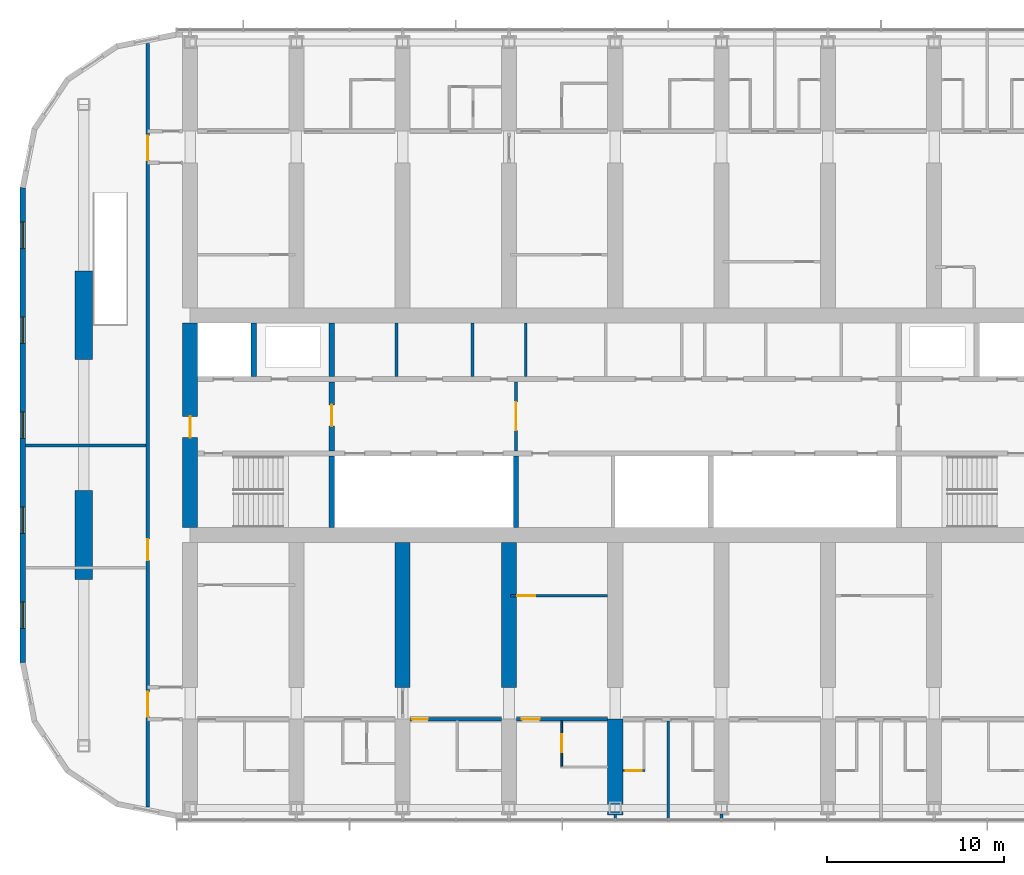
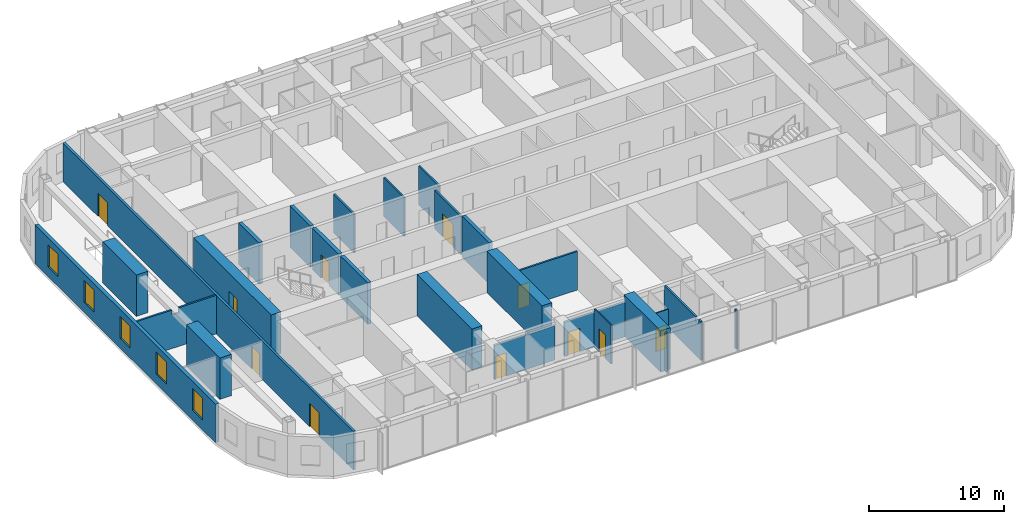
# One storey, part 11 of 22: 26 walls, 11 doors, 5 windows, 16 openings.
"""IFC4 building model written with IfcOpenShell, lengths in metres."""

from ifc_helpers import new_model, si_unit, direction, frame, frame_2d, origin, place, context, subcontext, project, spatial, polyline, rectangle, outline, extrude, material, layer, layer_set, type_object, element, fill, save


model = new_model("IFC4")

# Units and contexts
model_context = context("Model", 3, precision=1e-05, world=origin(), true_north=direction((0.0, 1.0)))
body_context = subcontext(model_context, "Body", "Model", "MODEL_VIEW")
ifc_project = project(units=[si_unit("LENGTHUNIT", "METRE"), si_unit("AREAUNIT", "SQUARE_METRE"), si_unit("VOLUMEUNIT", "CUBIC_METRE"), si_unit("PLANEANGLEUNIT", "RADIAN"), si_unit("MASSUNIT", "GRAM", prefix="KILO")], contexts=[model_context])

# Site, building, storey
site_placement = place(None, origin())
site = spatial("IfcSite", under=ifc_project, at=site_placement, CompositionType="ELEMENT")
building_placement = place(site_placement, origin())
building = spatial("IfcBuilding", under=site, at=building_placement, Name="Orbita Commons", CompositionType="ELEMENT")
storey_placement = place(building_placement, frame((0.0, 0.0, 167.35009765625)))
storey = spatial("IfcBuildingStorey", under=building, at=storey_placement, Name="L41", CompositionType="ELEMENT", Elevation=167.35009765625)

# Wall
ifc_material_1 = material(Name="Concrete C50/60", Category="concrete")
ifc_layer_1 = layer(ifc_material_1, 0.300048828125)
ifc_layer_set_1 = layer_set([ifc_layer_1], Name="Concrete C50/60")
wall_type_1 = type_object("IfcWallType", Name="Core inner wall 300 C50/60", PredefinedType="SHEAR", material=ifc_layer_set_1)
wall_1_placement = place(storey_placement, frame((26.0, 26.22509765625, 0.0), z_axis=(0.0, 0.0, 1.0), x_axis=(0.0, 1.0, 0.0)))
element("IfcWall", 1, at=wall_1_placement, inside=storey, type_object=wall_type_1, Name="Stair S1 wall L41", PredefinedType="SHEAR", context=body_context, shape_type="SweptSolid", body=[
    extrude(rectangle(XDim=4.02490234375, YDim=0.300048828125, at=frame_2d((2.012451171875, 0.0))), origin(), (0.0, 0.0, 1.0), 3.75),
])

# Wall, opening, door
wall_2_placement = place(storey_placement, frame((26.0, 30.550048828125, 0.0), z_axis=(0.0, 0.0, 1.0), x_axis=(0.0, 1.0, 0.0)))
wall_2 = element("IfcWall", 2, at=wall_2_placement, inside=storey, type_object=wall_type_1, Name="Firefighting lobby wall west L41", PredefinedType="SHEAR", context=body_context, shape_type="SweptSolid", body=[
    extrude(rectangle(XDim=3.89990234375, YDim=0.300048828125, at=frame_2d((1.949951171875, 0.0))), origin(), (0.0, 0.0, 1.0), 3.75),
])
opening_1_placement = place(wall_2_placement, frame((1.39990234375, 0.0, 0.0)))
opening_1 = element("IfcOpeningElement", 3, at=opening_1_placement, cuts=wall_2, Name="Opening D04", PredefinedType="OPENING", context=body_context, shape_type="SweptSolid", body=[
    extrude(rectangle(XDim=1.199951171875, YDim=2.10009765625, at=frame_2d((0.60009765625, 1.050048828125))), frame((0.0, 0.159912109375, 0.0), z_axis=(0.0, -1.0, 0.0), x_axis=(1.0, 0.0, 0.0)), (0.0, 0.0, 1.0), 0.320068359375),
])
ifc_material_2 = material(Name="Steel-faced fire door leaf", Category="steel")
door_type_1 = type_object("IfcDoorType", Name="Service door 20 min 1200x2100", OperationType="SINGLE_SWING_LEFT", PredefinedType="DOOR", material=ifc_material_2)
door_1_placement = place(opening_1_placement, origin())
door_1 = element("IfcDoor", 4, at=door_1_placement, inside=storey, type_object=door_type_1, Name="Lift lobby door west", OperationType="SINGLE_SWING_LEFT", OverallHeight=2.10009765625, OverallWidth=1.199951171875, PredefinedType="DOOR", context=body_context, shape_type="SweptSolid", body=[
    extrude(rectangle(XDim=1.199951171875, YDim=2.10009765625, at=frame_2d((0.60009765625, 1.050048828125))), frame((0.0, 0.02490234375, 0.0), z_axis=(0.0, -1.0, 0.0), x_axis=(1.0, 0.0, 0.0)), (0.0, 0.0, 1.0), 0.050048828125),
])
fill(opening_1, door_1)

# Walls
for number, where, z_axis, x_axis, name in (
    (5, (21.60009765625, 34.75, 0.0), (0.0, 0.0, 1.0), (0.0, 1.0, 0.0), "Firefighting lift FL1 shaft wall L41"),
    (6, (26.0, 34.75, 0.0), (0.0, 0.0, 1.0), (0.0, 1.0, 0.0), "Riser wall west L41"),
):
    element("IfcWall", number, at=place(storey_placement, frame(where, z_axis=z_axis, x_axis=x_axis)), inside=storey, type_object=wall_type_1, Name=name, PredefinedType="SHEAR", context=body_context, shape_type="SweptSolid", body=[
        extrude(rectangle(XDim=3.02490234375, YDim=0.300048828125, at=frame_2d((1.512451171875, 0.0))), origin(), (0.0, 0.0, 1.0), 3.75),
    ])
wall_3_placement = place(storey_placement, frame((36.39990234375, 26.22509765625, 0.0), z_axis=(0.0, 0.0, 1.0), x_axis=(0.0, 1.0, 0.0)))
element("IfcWall", 7, at=wall_3_placement, inside=storey, type_object=wall_type_1, Name="Hoistway division wall L41", PredefinedType="SHEAR", context=body_context, shape_type="SweptSolid", body=[
    extrude(rectangle(XDim=4.02490234375, YDim=0.300048828125, at=frame_2d((2.012451171875, 0.0))), origin(), (0.0, 0.0, 1.0), 3.75),
])

# Wall, opening, door
ifc_material_3 = material(Name="Concrete blockwork", Category="masonry")
ifc_layer_2 = layer(ifc_material_3, 0.14990234375)
ifc_layer_set_2 = layer_set([ifc_layer_2], Name="Concrete blockwork")
wall_type_2 = type_object("IfcWallType", Name="Core partition 150 blockwork", PredefinedType="SOLIDWALL", material=ifc_layer_set_2)
wall_4_placement = place(storey_placement, frame((36.39990234375, 30.550048828125, 0.0), z_axis=(0.0, 0.0, 1.0), x_axis=(0.0, 1.0, 0.0)))
wall_4 = element("IfcWall", 8, at=wall_4_placement, inside=storey, type_object=wall_type_2, Name="Core partition 150 blockwork L41", PredefinedType="SOLIDWALL", context=body_context, shape_type="SweptSolid", body=[
    extrude(rectangle(XDim=3.89990234375, YDim=0.14990234375, at=frame_2d((1.949951171875, 0.0))), origin(), (0.0, 0.0, 1.0), 3.5),
])
opening_2_placement = place(wall_4_placement, frame((1.14990234375, 0.0, 0.0)))
opening_2 = element("IfcOpeningElement", 9, at=opening_2_placement, cuts=wall_4, Name="Opening D10", PredefinedType="OPENING", context=body_context, shape_type="SweptSolid", body=[
    extrude(rectangle(XDim=1.60009765625, YDim=2.10009765625, at=frame_2d((0.800048828125, 1.050048828125))), frame((0.0, 0.0849609375, 0.0), z_axis=(0.0, -1.0, 0.0), x_axis=(1.0, 0.0, 0.0)), (0.0, 0.0, 1.0), 0.169921875),
])
ifc_material_4 = material(Name="Steel-faced fire door leaf", Category="steel")
door_type_2 = type_object("IfcDoorType", Name="Double corridor door 20 min 1600x2100", OperationType="DOUBLE_DOOR_SINGLE_SWING", PredefinedType="DOOR", material=ifc_material_4)
door_2_placement = place(opening_2_placement, origin())
door_2 = element("IfcDoor", 10, at=door_2_placement, inside=storey, type_object=door_type_2, Name="Lift lobby screen doors", OperationType="DOUBLE_DOOR_SINGLE_SWING", OverallHeight=2.10009765625, OverallWidth=1.60009765625, PredefinedType="DOOR", context=body_context, shape_type="SweptSolid", body=[
    extrude(rectangle(XDim=1.60009765625, YDim=2.10009765625, at=frame_2d((0.800048828125, 1.050048828125))), frame((0.0, 0.02490234375, 0.0), z_axis=(0.0, -1.0, 0.0), x_axis=(1.0, 0.0, 0.0)), (0.0, 0.0, 1.0), 0.050048828125),
])
fill(opening_2, door_2)

# Walls
for number, where, z_axis, x_axis, name in (
    (11, (29.65087890625, 34.75, 0.0), (0.0, 0.0, 1.0), (0.0, 1.0, 0.0), "Core partition 150 blockwork L41"),
    (12, (33.9462890625, 34.75, 0.0), (0.0, 0.0, 1.0), (0.0, 1.0, 0.0), "Core partition 150 blockwork L41"),
    (13, (36.9462890625, 34.75, 0.0), (0.0, 0.0, 1.0), (0.0, 1.0, 0.0), "Core partition 150 blockwork L41"),
):
    element("IfcWall", number, at=place(storey_placement, frame(where, z_axis=z_axis, x_axis=x_axis)), inside=storey, type_object=wall_type_2, Name=name, PredefinedType="SOLIDWALL", context=body_context, shape_type="SweptSolid", body=[
        extrude(rectangle(XDim=3.02490234375, YDim=0.14990234375, at=frame_2d((1.512451171875, 0.0))), origin(), (0.0, 0.0, 1.0), 3.5),
    ])

# Wall, opening, door
ifc_material_5 = material(Name="Concrete C50/60", Category="concrete")
ifc_layer_3 = layer(ifc_material_5, 0.85009765625)
ifc_layer_set_3 = layer_set([ifc_layer_3], Name="Concrete C50/60")
wall_type_3 = type_object("IfcWallType", Name="Core wall 850 C50/60", PredefinedType="SHEAR", material=ifc_layer_set_3)
wall_5_placement = place(storey_placement, frame((18.0, 26.22509765625, 0.0), z_axis=(0.0, 0.0, 1.0), x_axis=(0.0, 1.0, 0.0)))
wall_5 = element("IfcWall", 14, at=wall_5_placement, inside=storey, type_object=wall_type_3, Name="Core end wall west L41", PredefinedType="SHEAR", context=body_context, shape_type="SweptSolid", body=[
    extrude(rectangle(XDim=11.5498046875, YDim=0.85009765625, at=frame_2d((5.77490234375, 0.0))), origin(), (0.0, 0.0, 1.0), 3.75),
])
opening_3_placement = place(wall_5_placement, frame((5.074951171875, 0.0, 0.0)))
opening_3 = element("IfcOpeningElement", 15, at=opening_3_placement, cuts=wall_5, Name="Opening D01", PredefinedType="OPENING", context=body_context, shape_type="SweptSolid", body=[
    extrude(rectangle(XDim=1.199951171875, YDim=2.10009765625, at=frame_2d((0.60009765625, 1.050048828125))), frame((0.0, 0.43505859375, 0.0), z_axis=(0.0, -1.0, 0.0), x_axis=(1.0, 0.0, 0.0)), (0.0, 0.0, 1.0), 0.8701171875),
])
ifc_material_6 = material(Name="Steel-faced fire door leaf", Category="steel")
door_type_3 = type_object("IfcDoorType", Name="Fire door 90 min 1200x2100", OperationType="SINGLE_SWING_LEFT", PredefinedType="DOOR", material=ifc_material_6)
door_3_placement = place(opening_3_placement, origin())
door_3 = element("IfcDoor", 16, at=door_3_placement, inside=storey, type_object=door_type_3, Name="Firefighting lobby west door", OperationType="SINGLE_SWING_LEFT", OverallHeight=2.10009765625, OverallWidth=1.199951171875, PredefinedType="DOOR", context=body_context, shape_type="SweptSolid", body=[
    extrude(rectangle(XDim=1.199951171875, YDim=2.10009765625, at=frame_2d((0.60009765625, 1.050048828125))), frame((0.0, 0.02490234375, 0.0), z_axis=(0.0, -1.0, 0.0), x_axis=(1.0, 0.0, 0.0)), (0.0, 0.0, 1.0), 0.050048828125),
])
fill(opening_3, door_3)

ifc_material_7 = material(Name="Concrete blockwork", Category="masonry")
ifc_layer_4 = layer(ifc_material_7, 0.199951171875)
ifc_layer_set_4 = layer_set([ifc_layer_4], Name="Concrete blockwork")
wall_type_4 = type_object("IfcWallType", Name="Corridor wall 200 blockwork", PredefinedType="SOLIDWALL", material=ifc_layer_set_4)
wall_6_placement = place(storey_placement, frame((30.425048828125, 15.39990234375, 0.0), z_axis=(0.0, 0.0, 1.0), x_axis=(1.0, 0.0, 0.0)))
wall_6 = element("IfcWall", 17, at=wall_6_placement, inside=storey, type_object=wall_type_4, Name="Corridor wall 200 blockwork L41", PredefinedType="SOLIDWALL", context=body_context, shape_type="SweptSolid", body=[
    extrude(outline(polyline([(0.0, 0.0), (5.14990234375, 0.0), (5.14990234375, 3.099853515625), (0.0, 3.099853515625), (0.0, 0.0)])), frame((0.0, 0.10009765625, 0.0), z_axis=(0.0, -1.0, 0.0), x_axis=(1.0, 0.0, 0.0)), (0.0, 0.0, 1.0), 0.199951171875),
])
opening_4_placement = place(wall_6_placement, frame((0.10009765625, 0.0, 0.0)))
opening_4 = element("IfcOpeningElement", 18, at=opening_4_placement, cuts=wall_6, Name="Opening D11", PredefinedType="OPENING", context=body_context, shape_type="SweptSolid", body=[
    extrude(rectangle(XDim=0.89990234375, YDim=2.10009765625, at=frame_2d((0.449951171875, 1.050048828125))), frame((0.0, 0.10986328125, 0.0), z_axis=(0.0, -1.0, 0.0), x_axis=(1.0, 0.0, 0.0)), (0.0, 0.0, 1.0), 0.219970703125),
])
ifc_material_8 = material(Name="Steel-faced fire door leaf", Category="steel")
door_type_4 = type_object("IfcDoorType", Name="Corridor door 20 min 900x2100", OperationType="SINGLE_SWING_LEFT", PredefinedType="DOOR", material=ifc_material_8)
door_4_placement = place(opening_4_placement, origin())
door_4 = element("IfcDoor", 19, at=door_4_placement, inside=storey, type_object=door_type_4, Name="Twin room L41-S04 door", OperationType="SINGLE_SWING_LEFT", OverallHeight=2.10009765625, OverallWidth=0.89990234375, PredefinedType="DOOR", context=body_context, shape_type="SweptSolid", body=[
    extrude(rectangle(XDim=0.89990234375, YDim=2.10009765625, at=frame_2d((0.449951171875, 1.050048828125))), frame((0.0, 0.02490234375, 0.0), z_axis=(0.0, -1.0, 0.0), x_axis=(1.0, 0.0, 0.0)), (0.0, 0.0, 1.0), 0.050048828125),
])
fill(opening_4, door_4)

wall_7_placement = place(storey_placement, frame((36.425048828125, 15.39990234375, 0.0), z_axis=(0.0, 0.0, 1.0), x_axis=(1.0, 0.0, 0.0)))
wall_7 = element("IfcWall", 20, at=wall_7_placement, inside=storey, type_object=wall_type_4, Name="Corridor wall 200 blockwork L41", PredefinedType="SOLIDWALL", context=body_context, shape_type="SweptSolid", body=[
    extrude(outline(polyline([(0.0, 0.0), (5.14990234375, 0.0), (5.14990234375, 3.099853515625), (0.0, 3.099853515625), (0.0, 0.0)])), frame((0.0, 0.10009765625, 0.0), z_axis=(0.0, -1.0, 0.0), x_axis=(1.0, 0.0, 0.0)), (0.0, 0.0, 1.0), 0.199951171875),
])
opening_5_placement = place(wall_7_placement, frame((0.300048828125, 0.0, 0.0)))
opening_5 = element("IfcOpeningElement", 21, at=opening_5_placement, cuts=wall_7, Name="Opening D06", PredefinedType="OPENING", context=body_context, shape_type="SweptSolid", body=[
    extrude(rectangle(XDim=1.0, YDim=2.10009765625, at=frame_2d((0.5, 1.050048828125))), frame((0.0, 0.10986328125, 0.0), z_axis=(0.0, -1.0, 0.0), x_axis=(1.0, 0.0, 0.0)), (0.0, 0.0, 1.0), 0.219970703125),
])
ifc_material_9 = material(Name="Steel-faced fire door leaf", Category="steel")
door_type_5 = type_object("IfcDoorType", Name="Corridor door 20 min 1000x2100", OperationType="SINGLE_SWING_LEFT", PredefinedType="DOOR", material=ifc_material_9)
door_5_placement = place(opening_5_placement, origin())
door_5 = element("IfcDoor", 22, at=door_5_placement, inside=storey, type_object=door_type_5, Name="Accessible bedroom L41-S06 door", OperationType="SINGLE_SWING_LEFT", OverallHeight=2.10009765625, OverallWidth=1.0, PredefinedType="DOOR", context=body_context, shape_type="SweptSolid", body=[
    extrude(rectangle(XDim=1.0, YDim=2.10009765625, at=frame_2d((0.5, 1.050048828125))), frame((0.0, 0.02490234375, 0.0), z_axis=(0.0, -1.0, 0.0), x_axis=(1.0, 0.0, 0.0)), (0.0, 0.0, 1.0), 0.050048828125),
])
fill(opening_5, door_5)

# Wall, openings, doors
wall_8_placement = place(storey_placement, frame((15.60009765625, 10.4462890625, 0.0), z_axis=(0.0, 0.0, 1.0), x_axis=(0.0, 1.0, 0.0)))
wall_8 = element("IfcWall", 23, at=wall_8_placement, inside=storey, type_object=wall_type_4, Name="Corridor wall 200 blockwork L41", PredefinedType="SOLIDWALL", context=body_context, shape_type="SweptSolid", body=[
    extrude(rectangle(XDim=43.107421875, YDim=0.199951171875, at=frame_2d((21.5537109375, 0.0))), origin(), (0.0, 0.0, 1.0), 3.5),
])
opening_6_placement = place(wall_8_placement, frame((13.913818359375, 0.0, 0.0)))
opening_6 = element("IfcOpeningElement", 24, at=opening_6_placement, cuts=wall_8, Name="Opening D15", PredefinedType="OPENING", context=body_context, shape_type="SweptSolid", body=[
    extrude(rectangle(XDim=1.199951171875, YDim=2.10009765625, at=frame_2d((0.60009765625, 1.050048828125))), frame((0.0, 0.10986328125, 0.0), z_axis=(0.0, -1.0, 0.0), x_axis=(1.0, 0.0, 0.0)), (0.0, 0.0, 1.0), 0.219970703125),
])
opening_7_placement = place(wall_8_placement, frame((5.103759765625, 0.0, 0.0)))
opening_7 = element("IfcOpeningElement", 25, at=opening_7_placement, cuts=wall_8, Name="Opening D08", PredefinedType="OPENING", context=body_context, shape_type="SweptSolid", body=[
    extrude(rectangle(XDim=1.39990234375, YDim=2.10009765625, at=frame_2d((0.699951171875, 1.050048828125))), frame((0.0, 0.10986328125, 0.0), z_axis=(0.0, -1.0, 0.0), x_axis=(1.0, 0.0, 0.0)), (0.0, 0.0, 1.0), 0.219970703125),
])
opening_8_placement = place(wall_8_placement, frame((36.50390625, 0.0, 0.0)))
opening_8 = element("IfcOpeningElement", 26, at=opening_8_placement, cuts=wall_8, Name="Opening D08", PredefinedType="OPENING", context=body_context, shape_type="SweptSolid", body=[
    extrude(rectangle(XDim=1.39990234375, YDim=2.10009765625, at=frame_2d((0.699951171875, 1.050048828125))), frame((0.0, 0.10986328125, 0.0), z_axis=(0.0, -1.0, 0.0), x_axis=(1.0, 0.0, 0.0)), (0.0, 0.0, 1.0), 0.219970703125),
])
ifc_material_10 = material(Name="Steel-faced fire door leaf", Category="steel")
door_type_6 = type_object("IfcDoorType", Name="Corridor door 20 min 1200x2100", OperationType="SINGLE_SWING_LEFT", PredefinedType="DOOR", material=ifc_material_10)
door_6_placement = place(opening_6_placement, origin())
door_6 = element("IfcDoor", 27, at=door_6_placement, inside=storey, type_object=door_type_6, Name="Study hall door", OperationType="SINGLE_SWING_LEFT", OverallHeight=2.10009765625, OverallWidth=1.199951171875, PredefinedType="DOOR", context=body_context, shape_type="SweptSolid", body=[
    extrude(rectangle(XDim=1.199951171875, YDim=2.10009765625, at=frame_2d((0.60009765625, 1.050048828125))), frame((0.0, 0.02490234375, 0.0), z_axis=(0.0, -1.0, 0.0), x_axis=(1.0, 0.0, 0.0)), (0.0, 0.0, 1.0), 0.050048828125),
])
fill(opening_6, door_6)
ifc_material_11 = material(Name="Steel-faced fire door leaf", Category="steel")
door_type_7 = type_object("IfcDoorType", Name="Double corridor door 20 min 1400x2100", OperationType="DOUBLE_DOOR_SINGLE_SWING", PredefinedType="DOOR", material=ifc_material_11)
door_7_placement = place(opening_7_placement, origin())
door_7 = element("IfcDoor", 28, at=door_7_placement, inside=storey, type_object=door_type_7, Name="Lounge doors", OperationType="DOUBLE_DOOR_SINGLE_SWING", OverallHeight=2.10009765625, OverallWidth=1.39990234375, PredefinedType="DOOR", context=body_context, shape_type="SweptSolid", body=[
    extrude(rectangle(XDim=1.39990234375, YDim=2.10009765625, at=frame_2d((0.699951171875, 1.050048828125))), frame((0.0, 0.02490234375, 0.0), z_axis=(0.0, -1.0, 0.0), x_axis=(1.0, 0.0, 0.0)), (0.0, 0.0, 1.0), 0.050048828125),
])
fill(opening_7, door_7)
door_8_placement = place(opening_8_placement, origin())
door_8 = element("IfcDoor", 29, at=door_8_placement, inside=storey, type_object=door_type_7, Name="Lounge doors", OperationType="DOUBLE_DOOR_SINGLE_SWING", OverallHeight=2.10009765625, OverallWidth=1.39990234375, PredefinedType="DOOR", context=body_context, shape_type="SweptSolid", body=[
    extrude(rectangle(XDim=1.39990234375, YDim=2.10009765625, at=frame_2d((0.699951171875, 1.050048828125))), frame((0.0, 0.02490234375, 0.0), z_axis=(0.0, -1.0, 0.0), x_axis=(1.0, 0.0, 0.0)), (0.0, 0.0, 1.0), 0.050048828125),
])
fill(opening_8, door_8)

# Walls
ifc_material_12 = material(Name="Concrete C50/60", Category="concrete")
ifc_layer_5 = layer(ifc_material_12, 0.85009765625)
ifc_layer_set_5 = layer_set([ifc_layer_5], Name="Concrete C50/60")
wall_type_5 = type_object("IfcWallType", Name="Cross wall 850 C50/60", PredefinedType="SHEAR", material=ifc_layer_set_5)
for number, where, z_axis, x_axis, name in (
    (30, (30.0, 17.199951171875, 0.0), (0.0, 0.0, 1.0), (0.0, 1.0, 0.0), "Cross wall 6 south inner L41"),
    (31, (36.0, 17.199951171875, 0.0), (0.0, 0.0, 1.0), (0.0, 1.0, 0.0), "Cross wall 7 south inner L41"),
):
    element("IfcWall", number, at=place(storey_placement, frame(where, z_axis=z_axis, x_axis=x_axis)), inside=storey, type_object=wall_type_5, Name=name, PredefinedType="SHEAR", context=body_context, shape_type="SweptSolid", body=[
        extrude(rectangle(XDim=8.175048828125, YDim=0.85009765625, at=frame_2d((4.08740234375, 0.0))), origin(), (0.0, 0.0, 1.0), 3.75),
    ])
wall_9_placement = place(storey_placement, frame((42.0, 10.0, 0.0), z_axis=(0.0, 0.0, 1.0), x_axis=(0.0, 1.0, 0.0)))
element("IfcWall", 32, at=wall_9_placement, inside=storey, type_object=wall_type_5, Name="Cross wall 8 south outer L41", PredefinedType="SHEAR", context=body_context, shape_type="SweptSolid", body=[
    extrude(rectangle(XDim=5.39990234375, YDim=0.85009765625, at=frame_2d((2.699951171875, 0.0))), origin(), (0.0, 0.0, 1.0), 3.75),
])

# Wall, opening, door
ifc_material_13 = material(Name="Moisture-resistant plasterboard on steel studs", Category="steel")
ifc_layer_6 = layer(ifc_material_13, 0.10009765625)
ifc_layer_set_6 = layer_set([ifc_layer_6], Name="Moisture-resistant plasterboard on steel studs")
wall_type_6 = type_object("IfcWallType", Name="En-suite partition 100", PredefinedType="PARTITIONING", material=ifc_layer_set_6)
wall_10_placement = place(storey_placement, frame((38.97509765625, 12.75, 0.0), z_axis=(0.0, 0.0, 1.0), x_axis=(0.0, 1.0, 0.0)))
wall_10 = element("IfcWall", 33, at=wall_10_placement, inside=storey, type_object=wall_type_6, Name="En-suite partition 100 L41", PredefinedType="PARTITIONING", context=body_context, shape_type="SweptSolid", body=[
    extrude(outline(polyline([(0.0, 0.0), (2.550048828125, 0.0), (2.550048828125, 3.099853515625), (2.501953125, 3.099853515625), (2.5, 3.5), (0.0, 3.5), (0.0, 0.0)])), frame((0.0, 0.050048828125, 0.0), z_axis=(0.0, -1.0, 0.0), x_axis=(1.0, 0.0, 0.0)), (0.0, 0.0, 1.0), 0.10009765625),
])
opening_9_placement = place(wall_10_placement, frame((0.800048828125, 0.0, 0.0)))
opening_9 = element("IfcOpeningElement", 34, at=opening_9_placement, cuts=wall_10, Name="Opening D13", PredefinedType="OPENING", context=body_context, shape_type="SweptSolid", body=[
    extrude(rectangle(XDim=1.0, YDim=2.10009765625, at=frame_2d((0.5, 1.050048828125))), frame((0.0, 0.06005859375, 0.0), z_axis=(0.0, -1.0, 0.0), x_axis=(1.0, 0.0, 0.0)), (0.0, 0.0, 1.0), 0.1201171875),
])
ifc_material_14 = material(Name="Laminated timber door leaf", Category="wood")
door_type_8 = type_object("IfcDoorType", Name="En-suite door 1000x2100", OperationType="SINGLE_SWING_RIGHT", PredefinedType="DOOR", material=ifc_material_14)
door_9_placement = place(opening_9_placement, origin())
door_9 = element("IfcDoor", 35, at=door_9_placement, inside=storey, type_object=door_type_8, Name="Accessible shower room L41-S06 door", OperationType="SINGLE_SWING_RIGHT", OverallHeight=2.10009765625, OverallWidth=1.0, PredefinedType="DOOR", context=body_context, shape_type="SweptSolid", body=[
    extrude(rectangle(XDim=1.0, YDim=2.10009765625, at=frame_2d((0.5, 1.050048828125))), frame((0.0, 0.02490234375, 0.0), z_axis=(0.0, -1.0, 0.0), x_axis=(1.0, 0.0, 0.0)), (0.0, 0.0, 1.0), 0.050048828125),
])
fill(opening_9, door_9)

wall_11_placement = place(storey_placement, frame((43.675048828125, 12.5, 0.0), z_axis=(0.0, 0.0, 1.0), x_axis=(-1.0, 0.0, 0.0)))
wall_11 = element("IfcWall", 36, at=wall_11_placement, inside=storey, type_object=wall_type_6, Name="En-suite partition 100 L41", PredefinedType="PARTITIONING", context=body_context, shape_type="SweptSolid", body=[
    extrude(rectangle(XDim=1.25, YDim=0.10009765625, at=frame_2d((0.625, 0.0))), origin(), (0.0, 0.0, 1.0), 3.5),
])
opening_10_placement = place(wall_11_placement, frame((0.175048828125, 0.0, 0.0)))
opening_10 = element("IfcOpeningElement", 37, at=opening_10_placement, cuts=wall_11, Name="Opening D09", PredefinedType="OPENING", context=body_context, shape_type="SweptSolid", body=[
    extrude(rectangle(XDim=0.89990234375, YDim=2.10009765625, at=frame_2d((0.449951171875, 1.050048828125))), frame((0.0, 0.06005859375, 0.0), z_axis=(0.0, -1.0, 0.0), x_axis=(1.0, 0.0, 0.0)), (0.0, 0.0, 1.0), 0.1201171875),
])
ifc_material_15 = material(Name="Laminated timber door leaf", Category="wood")
door_type_9 = type_object("IfcDoorType", Name="En-suite door 900x2100", OperationType="SINGLE_SWING_RIGHT", PredefinedType="DOOR", material=ifc_material_15)
door_10_placement = place(opening_10_placement, origin())
door_10 = element("IfcDoor", 38, at=door_10_placement, inside=storey, type_object=door_type_9, Name="En-suite L41-S08 door", OperationType="SINGLE_SWING_RIGHT", OverallHeight=2.10009765625, OverallWidth=0.89990234375, PredefinedType="DOOR", context=body_context, shape_type="SweptSolid", body=[
    extrude(rectangle(XDim=0.89990234375, YDim=2.10009765625, at=frame_2d((0.449951171875, 1.050048828125))), frame((0.0, 0.02490234375, 0.0), z_axis=(0.0, -1.0, 0.0), x_axis=(1.0, 0.0, 0.0)), (0.0, 0.0, 1.0), 0.050048828125),
])
fill(opening_10, door_10)

# Walls
ifc_material_16 = material(Name="Concrete C50/60", Category="concrete")
ifc_layer_7 = layer(ifc_material_16, 1.0)
ifc_layer_set_7 = layer_set([ifc_layer_7], Name="Concrete C50/60")
wall_type_7 = type_object("IfcWallType", Name="End pier 1000x5000 C50/60", PredefinedType="SHEAR", material=ifc_layer_set_7)
for number, where, z_axis, x_axis, name in (
    (39, (12.0, 23.300048828125, 0.0), (0.0, 0.0, 1.0), (0.0, 1.0, 0.0), "End pier 3/C L41"),
    (40, (12.0, 35.699951171875, 0.0), (0.0, 0.0, 1.0), (0.0, 1.0, 0.0), "End pier 3/D L41"),
):
    element("IfcWall", number, at=place(storey_placement, frame(where, z_axis=z_axis, x_axis=x_axis)), inside=storey, type_object=wall_type_7, Name=name, PredefinedType="SHEAR", context=body_context, shape_type="SweptSolid", body=[
        extrude(rectangle(XDim=5.0, YDim=1.0, at=frame_2d((2.5, 0.0))), origin(), (0.0, 0.0, 1.0), 3.75),
    ])

# Wall, opening, door
ifc_material_17 = material(Name="Gypsum plasterboard on steel studs", Category="steel")
ifc_layer_8 = layer(ifc_material_17, 0.14990234375)
ifc_layer_set_8 = layer_set([ifc_layer_8], Name="Gypsum plasterboard on steel studs")
wall_type_8 = type_object("IfcWallType", Name="Partition 150 plasterboard", PredefinedType="PARTITIONING", material=ifc_layer_set_8)
wall_12_placement = place(storey_placement, frame((36.074951171875, 22.375, 0.0), z_axis=(0.0, 0.0, 1.0), x_axis=(1.0, 0.0, 0.0)))
wall_12 = element("IfcWall", 41, at=wall_12_placement, inside=storey, type_object=wall_type_8, Name="Partition 150 plasterboard L41", PredefinedType="PARTITIONING", context=body_context, shape_type="SweptSolid", body=[
    extrude(rectangle(XDim=5.5, YDim=0.14990234375, at=frame_2d((2.75, 0.0))), origin(), (0.0, 0.0, 1.0), 3.5),
])
opening_11_placement = place(wall_12_placement, frame((0.39990234375, 0.0, 0.0)))
opening_11 = element("IfcOpeningElement", 42, at=opening_11_placement, cuts=wall_12, Name="Opening D17", PredefinedType="OPENING", context=body_context, shape_type="SweptSolid", body=[
    extrude(rectangle(XDim=1.0, YDim=2.10009765625, at=frame_2d((0.5, 1.050048828125))), frame((0.0, 0.0849609375, 0.0), z_axis=(0.0, -1.0, 0.0), x_axis=(1.0, 0.0, 0.0)), (0.0, 0.0, 1.0), 0.169921875),
])
ifc_material_18 = material(Name="Steel-faced fire door leaf", Category="steel")
door_type_10 = type_object("IfcDoorType", Name="Shaft access door 90 min 1000x2100", OperationType="SINGLE_SWING_LEFT", PredefinedType="DOOR", material=ifc_material_18)
door_11_placement = place(opening_11_placement, origin())
door_11 = element("IfcDoor", 43, at=door_11_placement, inside=storey, type_object=door_type_10, Name="Ventilation plant room south L41-BDS36 door", OperationType="SINGLE_SWING_LEFT", OverallHeight=2.10009765625, OverallWidth=1.0, PredefinedType="DOOR", context=body_context, shape_type="SweptSolid", body=[
    extrude(rectangle(XDim=1.0, YDim=2.10009765625, at=frame_2d((0.5, 1.050048828125))), frame((0.0, 0.02490234375, 0.0), z_axis=(0.0, -1.0, 0.0), x_axis=(1.0, 0.0, 0.0)), (0.0, 0.0, 1.0), 0.050048828125),
])
fill(opening_11, door_11)

# Walls
wall_13_placement = place(storey_placement, frame((8.705078125, 30.85009765625, 0.0), z_axis=(0.0, 0.0, 1.0), x_axis=(1.0, 0.0, 0.0)))
element("IfcWall", 44, at=wall_13_placement, inside=storey, type_object=wall_type_8, Name="Partition 150 plasterboard L41", PredefinedType="PARTITIONING", context=body_context, shape_type="SweptSolid", body=[
    extrude(outline(polyline([(0.0, 0.0), (6.81982421875, 0.0), (6.820068359375, 3.5), (3.596923828125, 3.5), (3.594970703125, 3.0498046875), (2.9970703125, 3.0498046875), (2.9951171875, 3.5), (0.0, 3.5), (0.0, 0.0)])), frame((0.0, 0.074951171875, 0.0), z_axis=(0.0, -1.0, 0.0), x_axis=(1.0, 0.0, 0.0)), (0.0, 0.0, 1.0), 0.14990234375),
])
for number, where, z_axis, x_axis, name in (
    (45, (42.0, 10.050048828125, 0.0), (0.0, 0.0, 1.0), (0.0, -1.0, 0.0), "Partition 150 plasterboard L41"),
    (46, (48.0, 10.050048828125, 0.0), (0.0, 0.0, 1.0), (0.0, -1.0, 0.0), "Partition 150 plasterboard L41"),
):
    element("IfcWall", number, at=place(storey_placement, frame(where, z_axis=z_axis, x_axis=x_axis)), inside=storey, type_object=wall_type_8, Name=name, PredefinedType="PARTITIONING", context=body_context, shape_type="SweptSolid", body=[
        extrude(rectangle(XDim=0.239990234375, YDim=0.14990234375, at=frame_2d((0.1201171875, 0.0))), origin(), (0.0, 0.0, 1.0), 3.5),
    ])
ifc_material_19 = material(Name="Gypsum plasterboard on steel studs", Category="steel")
ifc_layer_9 = layer(ifc_material_19, 0.14990234375)
ifc_layer_set_9 = layer_set([ifc_layer_9], Name="Gypsum plasterboard on steel studs")
wall_type_9 = type_object("IfcWallType", Name="Party wall 150 plasterboard", PredefinedType="PARTITIONING", material=ifc_layer_set_9)
wall_14_placement = place(storey_placement, frame((45.0, 9.81005859375, 0.0), z_axis=(0.0, 0.0, 1.0), x_axis=(0.0, 1.0, 0.0)))
element("IfcWall", 47, at=wall_14_placement, inside=storey, type_object=wall_type_9, Name="Party wall 150 plasterboard L41", PredefinedType="PARTITIONING", context=body_context, shape_type="SweptSolid", body=[
    extrude(outline(polyline([(0.0, 0.0), (5.489990234375, 0.0), (5.489990234375, 3.099853515625), (5.44189453125, 3.099853515625), (5.43994140625, 3.5), (0.7919921875, 3.5), (0.7900390625, 3.099853515625), (0.39208984375, 3.099853515625), (0.389892578125, 3.5), (0.0, 3.5), (0.0, 0.0)])), frame((0.0, 0.074951171875, 0.0), z_axis=(0.0, -1.0, 0.0), x_axis=(1.0, 0.0, 0.0)), (0.0, 0.0, 1.0), 0.14990234375),
])

# Wall, openings, windows
ifc_material_20 = material(Name="Precast concrete C40/50, white board-marked finish", Category="concrete")
ifc_layer_10 = layer(ifc_material_20, 0.300048828125)
ifc_layer_set_10 = layer_set([ifc_layer_10], Name="Precast concrete C40/50, white board-marked finish")
wall_type_10 = type_object("IfcWallType", Name="Precast concrete end shield 300", PredefinedType="SOLIDWALL", material=ifc_layer_set_10)
wall_15_placement = place(storey_placement, frame((8.550048828125, 45.39990234375, 0.0), z_axis=(0.0, 0.0, 1.0), x_axis=(0.0, -1.0, 0.0)))
wall_15 = element("IfcWall", 48, at=wall_15_placement, inside=storey, type_object=wall_type_10, Name="End shield W L41", PredefinedType="SOLIDWALL", context=body_context, shape_type="SweptSolid", body=[
    extrude(outline(polyline([(-0.014892578125, -0.14990234375), (26.814697265625, -0.14990234375), (26.784912109375, 0.14990234375), (0.014892578125, 0.14990234375), (-0.014892578125, -0.14990234375)])), origin(), (0.0, 0.0, 1.0), 3.5),
])
opening_12_placement = place(wall_15_placement, frame((1.929931640625, 0.0, 0.89990234375)))
opening_12 = element("IfcOpeningElement", 49, at=opening_12_placement, cuts=wall_15, Name="Opening W01", PredefinedType="OPENING", context=body_context, shape_type="SweptSolid", body=[
    extrude(rectangle(XDim=1.5, YDim=2.0, at=frame_2d((0.75, 1.0))), frame((0.0, 0.159912109375, 0.0), z_axis=(0.0, -1.0, 0.0), x_axis=(1.0, 0.0, 0.0)), (0.0, 0.0, 1.0), 0.320068359375),
])
opening_13_placement = place(wall_15_placement, frame((7.2900390625, 0.0, 0.89990234375)))
opening_13 = element("IfcOpeningElement", 50, at=opening_13_placement, cuts=wall_15, Name="Opening W01", PredefinedType="OPENING", context=body_context, shape_type="SweptSolid", body=[
    extrude(rectangle(XDim=1.5, YDim=2.0, at=frame_2d((0.75, 1.0))), frame((0.0, 0.159912109375, 0.0), z_axis=(0.0, -1.0, 0.0), x_axis=(1.0, 0.0, 0.0)), (0.0, 0.0, 1.0), 0.320068359375),
])
opening_14_placement = place(wall_15_placement, frame((12.64990234375, 0.0, 0.89990234375)))
opening_14 = element("IfcOpeningElement", 51, at=opening_14_placement, cuts=wall_15, Name="Opening W01", PredefinedType="OPENING", context=body_context, shape_type="SweptSolid", body=[
    extrude(rectangle(XDim=1.5, YDim=2.0, at=frame_2d((0.75, 1.0))), frame((0.0, 0.159912109375, 0.0), z_axis=(0.0, -1.0, 0.0), x_axis=(1.0, 0.0, 0.0)), (0.0, 0.0, 1.0), 0.320068359375),
])
opening_15_placement = place(wall_15_placement, frame((18.010009765625, 0.0, 0.89990234375)))
opening_15 = element("IfcOpeningElement", 52, at=opening_15_placement, cuts=wall_15, Name="Opening W01", PredefinedType="OPENING", context=body_context, shape_type="SweptSolid", body=[
    extrude(rectangle(XDim=1.5, YDim=2.0, at=frame_2d((0.75, 1.0))), frame((0.0, 0.159912109375, 0.0), z_axis=(0.0, -1.0, 0.0), x_axis=(1.0, 0.0, 0.0)), (0.0, 0.0, 1.0), 0.320068359375),
])
opening_16_placement = place(wall_15_placement, frame((23.3701171875, 0.0, 0.89990234375)))
opening_16 = element("IfcOpeningElement", 53, at=opening_16_placement, cuts=wall_15, Name="Opening W01", PredefinedType="OPENING", context=body_context, shape_type="SweptSolid", body=[
    extrude(rectangle(XDim=1.5, YDim=2.0, at=frame_2d((0.75, 1.0))), frame((0.0, 0.159912109375, 0.0), z_axis=(0.0, -1.0, 0.0), x_axis=(1.0, 0.0, 0.0)), (0.0, 0.0, 1.0), 0.320068359375),
])
ifc_material_21 = material(Name="Aluminium frame, clear double glazing", Category="aluminium")
window_type = type_object("IfcWindowType", Name="Deep-set window 1500x2000", PartitioningType="SINGLE_PANEL", PredefinedType="WINDOW", material=ifc_material_21)
window_1_placement = place(opening_12_placement, origin())
window_1 = element("IfcWindow", 54, at=window_1_placement, inside=storey, type_object=window_type, Name="Window L41-W 1", OverallHeight=2.0, OverallWidth=1.5, PartitioningType="SINGLE_PANEL", PredefinedType="WINDOW", context=body_context, shape_type="SweptSolid", body=[
    extrude(rectangle(XDim=1.5, YDim=2.0, at=frame_2d((0.75, 1.0))), frame((0.0, 0.030029296875, 0.0), z_axis=(0.0, -1.0, 0.0), x_axis=(1.0, 0.0, 0.0)), (0.0, 0.0, 1.0), 0.06005859375),
])
fill(opening_12, window_1)
window_2_placement = place(opening_13_placement, origin())
window_2 = element("IfcWindow", 55, at=window_2_placement, inside=storey, type_object=window_type, Name="Window L41-W 2", OverallHeight=2.0, OverallWidth=1.5, PartitioningType="SINGLE_PANEL", PredefinedType="WINDOW", context=body_context, shape_type="SweptSolid", body=[
    extrude(rectangle(XDim=1.5, YDim=2.0, at=frame_2d((0.75, 1.0))), frame((0.0, 0.030029296875, 0.0), z_axis=(0.0, -1.0, 0.0), x_axis=(1.0, 0.0, 0.0)), (0.0, 0.0, 1.0), 0.06005859375),
])
fill(opening_13, window_2)
window_3_placement = place(opening_14_placement, origin())
window_3 = element("IfcWindow", 56, at=window_3_placement, inside=storey, type_object=window_type, Name="Window L41-W 3", OverallHeight=2.0, OverallWidth=1.5, PartitioningType="SINGLE_PANEL", PredefinedType="WINDOW", context=body_context, shape_type="SweptSolid", body=[
    extrude(rectangle(XDim=1.5, YDim=2.0, at=frame_2d((0.75, 1.0))), frame((0.0, 0.030029296875, 0.0), z_axis=(0.0, -1.0, 0.0), x_axis=(1.0, 0.0, 0.0)), (0.0, 0.0, 1.0), 0.06005859375),
])
fill(opening_14, window_3)
window_4_placement = place(opening_15_placement, origin())
window_4 = element("IfcWindow", 57, at=window_4_placement, inside=storey, type_object=window_type, Name="Window L41-W 4", OverallHeight=2.0, OverallWidth=1.5, PartitioningType="SINGLE_PANEL", PredefinedType="WINDOW", context=body_context, shape_type="SweptSolid", body=[
    extrude(rectangle(XDim=1.5, YDim=2.0, at=frame_2d((0.75, 1.0))), frame((0.0, 0.030029296875, 0.0), z_axis=(0.0, -1.0, 0.0), x_axis=(1.0, 0.0, 0.0)), (0.0, 0.0, 1.0), 0.06005859375),
])
fill(opening_15, window_4)
window_5_placement = place(opening_16_placement, origin())
window_5 = element("IfcWindow", 58, at=window_5_placement, inside=storey, type_object=window_type, Name="Window L41-W 5", OverallHeight=2.0, OverallWidth=1.5, PartitioningType="SINGLE_PANEL", PredefinedType="WINDOW", context=body_context, shape_type="SweptSolid", body=[
    extrude(rectangle(XDim=1.5, YDim=2.0, at=frame_2d((0.75, 1.0))), frame((0.0, 0.030029296875, 0.0), z_axis=(0.0, -1.0, 0.0), x_axis=(1.0, 0.0, 0.0)), (0.0, 0.0, 1.0), 0.06005859375),
])
fill(opening_16, window_5)

save(model, "model.ifc")
